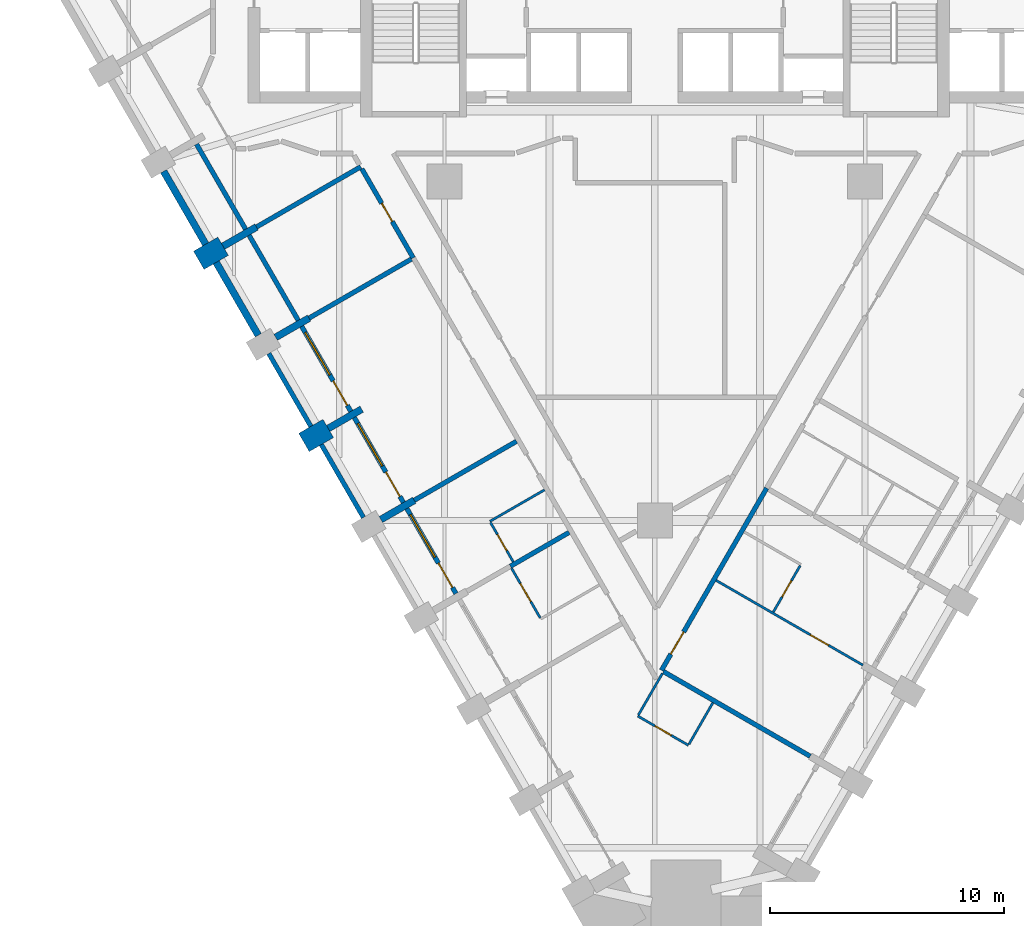
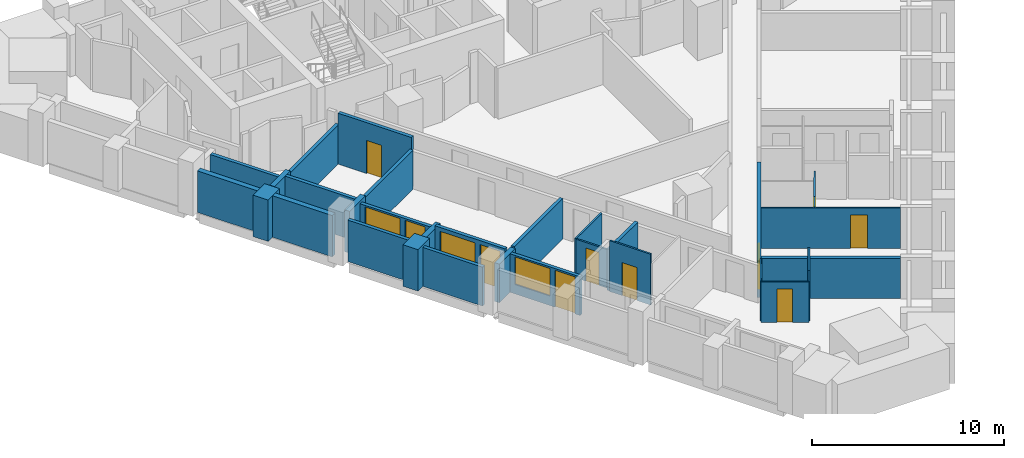
# One storey, part 3 of 10: 30 walls, 10 doors, 3 windows, 13 openings.
"""IFC4 building model written with IfcOpenShell, lengths in metres."""

import ifcopenshell
import ifcopenshell.guid

model = None  # the IFC model being written
_history = None  # IfcOwnerHistory: only IFC2X3 demands one
_inside = {}  # id of a spatial element -> (the spatial element, [elements in it])
_under = {}  # id of a project, library or spatial element -> (it, [spatial elements below it])
_declared = {}  # id of a project -> (the project, [libraries it declares])
_typed = {}  # id of a type object -> (the type object, [elements of that type])
_made_of = {}  # id of a material, layer set ... -> (it, [elements and type objects made of it])


def new_model(schema):
    """Start an empty IFC model of exactly this schema.

    Asked for "IFC4X3", IfcOpenShell would pick the latest addendum, in which some entities
    have other attributes; the version numbers below select the first issue.
    IFC2X3 requires an IfcOwnerHistory on every rooted entity: one is made here for all.
    """
    global model, _history
    if schema == "IFC4X3":
        model = ifcopenshell.file(schema_version=(4, 3, 0, 0))
    else:
        model = ifcopenshell.file(schema=schema)
    _inside.clear()
    _under.clear()
    _declared.clear()
    _typed.clear()
    _made_of.clear()
    _history = None
    if model.schema == "IFC2X3":
        org = make("IfcOrganization", Name="unknown")
        user = make(
            "IfcPersonAndOrganization",
            ThePerson=make("IfcPerson", FamilyName="unknown"),
            TheOrganization=org,
        )
        app = make(
            "IfcApplication",
            ApplicationDeveloper=org,
            Version="unknown",
            ApplicationFullName="unknown",
            ApplicationIdentifier="unknown",
        )
        _history = make(
            "IfcOwnerHistory",
            OwningUser=user,
            OwningApplication=app,
            ChangeAction="ADDED",
            CreationDate=0,
        )
    return model


def make(cls, **values):
    """One entity of the class cls with the attributes given. An attribute that is None is left unset."""
    return model.create_entity(
        cls, **{name: value for name, value in values.items() if value is not None}
    )


def rooted(cls, **values):
    """An entity with a GlobalId (a new one), such as an element, a storey or a relation."""
    return make(cls, GlobalId=ifcopenshell.guid.new(), OwnerHistory=_history, **values)


def si_unit(unit_type, name, prefix=None):
    """IfcSIUnit, for example si_unit("LENGTHUNIT", "METRE", prefix="MILLI")."""
    return make("IfcSIUnit", UnitType=unit_type, Prefix=prefix, Name=name)


def assignment(units):
    """IfcUnitAssignment: the units of a project."""
    return None if units is None else make("IfcUnitAssignment", Units=units)


def point(xyz):
    """IfcCartesianPoint."""
    return None if xyz is None else make("IfcCartesianPoint", Coordinates=xyz)


def direction(xyz):
    """IfcDirection."""
    return None if xyz is None else make("IfcDirection", DirectionRatios=xyz)


def frame(location, z_axis=None, x_axis=None):
    """IfcAxis2Placement3D, a coordinate frame: its origin and axes. An axis left out is left unset."""
    return make(
        "IfcAxis2Placement3D",
        Location=point(location),
        Axis=direction(z_axis),
        RefDirection=direction(x_axis),
    )


def frame_2d(location, x_axis=None):
    """IfcAxis2Placement2D, a coordinate frame in the plane: its origin and x axis."""
    return make(
        "IfcAxis2Placement2D", Location=point(location), RefDirection=direction(x_axis)
    )


def origin():
    """The frame at (0, 0, 0) with its axes left unset."""
    return frame((0.0, 0.0, 0.0))


def place(relative_to, where):
    """IfcLocalPlacement: puts the frame where relative to a parent placement (None: the world)."""
    return make(
        "IfcLocalPlacement", PlacementRelTo=relative_to, RelativePlacement=where
    )


def context(
    kind, dimensions, precision=None, world=None, true_north=None, identifier=None
):
    """IfcGeometricRepresentationContext, for example the 3D "Model" context."""
    return make(
        "IfcGeometricRepresentationContext",
        ContextIdentifier=identifier,
        ContextType=kind,
        CoordinateSpaceDimension=dimensions,
        Precision=precision,
        WorldCoordinateSystem=world,
        TrueNorth=true_north,
    )


def subcontext(parent, identifier, kind, view, scale=None):
    """IfcGeometricRepresentationSubContext, for example "Body" below "Model"."""
    return make(
        "IfcGeometricRepresentationSubContext",
        ContextIdentifier=identifier,
        ContextType=kind,
        ParentContext=parent,
        TargetScale=scale,
        TargetView=view,
    )


def project(units=None, contexts=None):
    """IfcProject with its units and contexts."""
    return rooted(
        "IfcProject",
        Name="project",
        RepresentationContexts=contexts,
        UnitsInContext=assignment(units),
    )


def spatial(cls, under=None, at=None, **own):
    """A site, building, storey or space (cls), placed at a placement, below another one or the project."""
    s = rooted(cls, ObjectPlacement=at, **own)
    if under is not None:
        _under.setdefault(under.id(), (under, []))[1].append(s)
    return s


def profile(cls, at=None, kind="AREA", **sizes):
    """A parametric profile (cls). Its sizes go by their IFC names, for example OverallWidth=200.0."""
    return make(cls, ProfileType=kind, Position=at, **sizes)


def rectangle(**sizes):
    """IfcRectangleProfileDef."""
    return profile("IfcRectangleProfileDef", **sizes)


def extrude(swept, where, along, depth):
    """IfcExtrudedAreaSolid: the profile swept, set in the frame where, extruded along a direction by depth."""
    return make(
        "IfcExtrudedAreaSolid",
        SweptArea=swept,
        Position=where,
        ExtrudedDirection=direction(along),
        Depth=depth,
    )


def shape(context_of_items, identifier, shape_type, items):
    """IfcShapeRepresentation: the items that make up one representation, for example the "Body"."""
    return make(
        "IfcShapeRepresentation",
        ContextOfItems=context_of_items,
        RepresentationIdentifier=identifier,
        RepresentationType=shape_type,
        Items=items,
    )


def material(Name=None, Category=None):
    """IfcMaterial."""
    return make("IfcMaterial", Name=Name, Category=Category)


def layer(
    of_material, thickness, ventilated=None, Name=None, Category=None, Priority=None
):
    """IfcMaterialLayer: one layer of a wall or slab, of a material (None: an air gap)."""
    return make(
        "IfcMaterialLayer",
        Material=of_material,
        LayerThickness=thickness,
        IsVentilated=ventilated,
        Name=Name,
        Category=Category,
        Priority=Priority,
    )


def layer_set(layers, Name=None):
    """IfcMaterialLayerSet."""
    return make("IfcMaterialLayerSet", MaterialLayers=layers, LayerSetName=Name)


def made_of(thing, what):
    """Note that an element or type object is made of a material, layer set ...; save() writes the relation."""
    if what is not None:
        _made_of.setdefault(what.id(), (what, []))[1].append(thing)
    return thing


def type_object(cls, material=None, **own):
    """A type object (cls), such as IfcWallType, which elements share."""
    return made_of(rooted(cls, **own), material)


def element(
    cls,
    number,
    at=None,
    inside=None,
    cuts=None,
    type_object=None,
    material=None,
    context=None,
    identifier="Body",
    shape_type=None,
    held_by="IfcProductDefinitionShape",
    body=None,
    shapes=None,
    **own,
):
    """One element of the class cls, such as IfcWall. Its Tag is "e" and its number.

    at: its placement. inside: the storey or other place that contains it. cuts: it is an
    opening in that element (IfcRelVoidsElement). A single representation is given by context,
    identifier, shape_type and body (its items); several are given by shapes. held_by: the class
    of the entity that holds the representations. save() writes the other relations.
    """
    e = rooted(cls, Tag="e%d" % number, ObjectPlacement=at, **own)
    if body is not None:
        shapes = [shape(context, identifier, shape_type, body)]
    if shapes is not None:
        e.Representation = make(held_by, Representations=shapes)
    if inside is not None:
        _inside.setdefault(inside.id(), (inside, []))[1].append(e)
    if cuts is not None:
        rooted(
            "IfcRelVoidsElement", RelatingBuildingElement=cuts, RelatedOpeningElement=e
        )
    if type_object is not None:
        _typed.setdefault(type_object.id(), (type_object, []))[1].append(e)
    return made_of(e, material)


def fill(opening, filler):
    """IfcRelFillsElement: the door or window that sits in an opening."""
    return rooted(
        "IfcRelFillsElement",
        RelatingOpeningElement=opening,
        RelatedBuildingElement=filler,
    )


def aggregate(whole, parts):
    """IfcRelAggregates: a whole, such as a stair, and the parts it consists of."""
    return rooted("IfcRelAggregates", RelatingObject=whole, RelatedObjects=parts)


def save(model, path):
    """Write the relations noted so far, then the file.

    IfcRelAggregates (storeys below a building ...), IfcRelContainedInSpatialStructure (elements
    in a storey), IfcRelDefinesByType, IfcRelAssociatesMaterial and IfcRelDeclares: one each for
    every whole, place, type object, material and project.
    """
    for whole, parts in _under.values():
        aggregate(whole, parts)
    for where, things in _inside.values():
        rooted(
            "IfcRelContainedInSpatialStructure",
            RelatedElements=things,
            RelatingStructure=where,
        )
    for kind, things in _typed.values():
        rooted("IfcRelDefinesByType", RelatedObjects=things, RelatingType=kind)
    for what, things in _made_of.values():
        rooted("IfcRelAssociatesMaterial", RelatedObjects=things, RelatingMaterial=what)
    for by, libraries in _declared.values():
        rooted("IfcRelDeclares", RelatingContext=by, RelatedDefinitions=libraries)
    model.write(path)


model = new_model("IFC4")

# Units and contexts
model_context = context("Model", 3, precision=1e-05, world=origin(), true_north=direction((0.0, 1.0)))
body_context = subcontext(model_context, "Body", "Model", "MODEL_VIEW")
ifc_project = project(units=[si_unit("LENGTHUNIT", "METRE"), si_unit("AREAUNIT", "SQUARE_METRE"), si_unit("VOLUMEUNIT", "CUBIC_METRE"), si_unit("PLANEANGLEUNIT", "RADIAN"), si_unit("MASSUNIT", "GRAM", prefix="KILO")], contexts=[model_context])

# Site, building, storey
site_placement = place(None, origin())
site = spatial("IfcSite", under=ifc_project, at=site_placement, CompositionType="ELEMENT")
building_placement = place(site_placement, origin())
building = spatial("IfcBuilding", under=site, at=building_placement, Name="Calabash Gate Tower", CompositionType="ELEMENT")
storey_placement = place(building_placement, frame((0.0, 0.0, 95.199951171875)))
storey = spatial("IfcBuildingStorey", under=building, at=storey_placement, Name="L20", CompositionType="ELEMENT", Elevation=95.199951171875)

# Walls
ifc_material_1 = material(Name="Terracotta brick masonry, exposed face", Category="masonry")
ifc_layer_1 = layer(ifc_material_1, 1.199951171875)
ifc_layer_set_1 = layer_set([ifc_layer_1], Name="Brick end wall 1200")
wall_type_1 = type_object("IfcWallType", Name="Brick end wall 1200", PredefinedType="SOLIDWALL", material=ifc_layer_set_1)
for number, where, z_axis, x_axis, name in (
    (1, (-19.51025390625, -0.8720703125, 0.0), (0.0, 0.0, 1.0), (0.865955154139, 0.50012165622, 0.0), "Brick pier S05 SW0.3"),
    (2, (-13.97119140625, -8.066162109375, 0.0), (0.0, 0.0, 1.0), (-0.865955154139, -0.50012165622, 0.0), "Brick pier S05 SW0.5"),
):
    element("IfcWall", number, at=place(storey_placement, frame(where, z_axis=z_axis, x_axis=x_axis)), inside=storey, type_object=wall_type_1, Name=name, PredefinedType="SOLIDWALL", context=body_context, shape_type="SweptSolid", body=[
        extrude(rectangle(XDim=1.199951171875, YDim=0.89990234375, at=frame_2d((0.60009765625, 0.0))), origin(), (0.0, 0.0, 1.0), 2.630126953125),
    ])
ifc_material_2 = material(Name="Terracotta brick masonry, exposed face", Category="masonry")
ifc_layer_2 = layer(ifc_material_2, 0.300048828125)
ifc_layer_set_2 = layer_set([ifc_layer_2], Name="Brick infill panel wall 300")
wall_type_2 = type_object("IfcWallType", Name="Brick infill panel wall 300", PredefinedType="SOLIDWALL", material=ifc_layer_set_2)
for number, where, z_axis, x_axis, name in (
    (3, (-21.015625, 2.935302734375, 0.0), (0.0, 0.0, 1.0), (0.499961193289, -0.866047807691, 0.0), "Brick panel S05 SW0.3"),
    (4, (-18.765625, -0.961669921875, 0.0), (0.0, 0.0, 1.0), (0.499961193289, -0.866047807691, 0.0), "Brick panel S05 SW0.4"),
):
    element("IfcWall", number, at=place(storey_placement, frame(where, z_axis=z_axis, x_axis=x_axis)), inside=storey, type_object=wall_type_2, Name=name, PredefinedType="SOLIDWALL", context=body_context, shape_type="SweptSolid", body=[
        extrude(rectangle(XDim=3.599853515625, YDim=0.300048828125, at=frame_2d((1.7998046875, 0.0))), origin(), (0.0, 0.0, 1.0), 2.630126953125),
    ])
ifc_material_3 = material(Name="Terracotta brick masonry, exposed face", Category="masonry")
ifc_layer_3 = layer(ifc_material_3, 0.300048828125)
ifc_layer_set_3 = layer_set([ifc_layer_3], Name="Brick loggia cheek wall 300")
wall_type_3 = type_object("IfcWallType", Name="Brick loggia cheek wall 300", PredefinedType="SOLIDWALL", material=ifc_layer_set_3)
wall_1_placement = place(storey_placement, frame((-17.042236328125, 0.552978515625, 0.0), z_axis=(0.0, 0.0, 1.0), x_axis=(-0.866040211805, -0.499974350878, 0.0)))
element("IfcWall", 5, at=wall_1_placement, inside=storey, type_object=wall_type_3, Name="Loggia cheek S05 SW0.3", PredefinedType="SOLIDWALL", context=body_context, shape_type="SweptSolid", body=[
    extrude(rectangle(XDim=1.64990234375, YDim=0.300048828125, at=frame_2d((0.824951171875, 0.0))), origin(), (0.0, 0.0, 1.0), 2.650146484375),
])
wall_2_placement = place(storey_placement, frame((-16.22119140625, -4.169189453125, 0.0), z_axis=(0.0, 0.0, 1.0), x_axis=(0.865976140824, 0.500085316245, 0.0)))
element("IfcWall", 6, at=wall_2_placement, inside=storey, type_object=wall_type_3, Name="Loggia cheek S05 SW0.4", PredefinedType="SOLIDWALL", context=body_context, shape_type="SweptSolid", body=[
    extrude(rectangle(XDim=1.650146484375, YDim=0.300048828125, at=frame_2d((0.8251953125, 0.0))), origin(), (0.0, 0.0, 1.0), 2.650146484375),
])
wall_3_placement = place(storey_placement, frame((-13.97119140625, -8.066162109375, 0.0), z_axis=(0.0, 0.0, 1.0), x_axis=(0.866040211805, 0.499974350878, 0.0)))
element("IfcWall", 7, at=wall_3_placement, inside=storey, type_object=wall_type_3, Name="Loggia cheek S05 SW0.5", PredefinedType="SOLIDWALL", context=body_context, shape_type="SweptSolid", body=[
    extrude(rectangle(XDim=1.64990234375, YDim=0.300048828125, at=frame_2d((0.824951171875, 0.0))), origin(), (0.0, 0.0, 1.0), 2.4736328125),
])
wall_4_placement = place(storey_placement, frame((-11.72119140625, -11.96337890625, 0.0), z_axis=(0.0, 0.0, 1.0), x_axis=(0.866040211805, 0.499974350878, 0.0)))
element("IfcWall", 8, at=wall_4_placement, inside=storey, type_object=wall_type_3, Name="Loggia cheek S05 SW0.6", PredefinedType="SOLIDWALL", context=body_context, shape_type="SweptSolid", body=[
    extrude(rectangle(XDim=1.64990234375, YDim=0.300048828125, at=frame_2d((0.824951171875, 0.0))), origin(), (0.0, 0.0, 1.0), 2.4501953125),
])
ifc_material_4 = material(Name="Gypsum board on steel studs, mineral wool", Category="steel")
ifc_layer_4 = layer(ifc_material_4, 0.10009765625)
ifc_layer_set_4 = layer_set([ifc_layer_4], Name="Partition 100 gypsum board")
wall_type_4 = type_object("IfcWallType", Name="Partition 100 gypsum board", PredefinedType="PARTITIONING", material=ifc_layer_set_4)
wall_5_placement = place(storey_placement, frame((1.46044921875, -21.576416015625, 0.0), z_axis=(0.0, 0.0, 1.0), x_axis=(0.499354689006, 0.866397653833, 0.0)))
element("IfcWall", 9, at=wall_5_placement, inside=storey, type_object=wall_type_4, Name="Partition", PredefinedType="PARTITIONING", context=body_context, shape_type="SweptSolid", body=[
    extrude(rectangle(XDim=2.050048828125, YDim=0.10009765625, at=frame_2d((1.02490234375, 0.0))), origin(), (0.0, 0.0, 1.0), 3.22998046875),
])

# Wall, opening, door
wall_6_placement = place(storey_placement, frame((-0.7294921875, -20.369873046875, 0.0), z_axis=(0.0, 0.0, 1.0), x_axis=(0.866022959057, -0.500004234368, 0.0)))
wall_6 = element("IfcWall", 10, at=wall_6_placement, inside=storey, type_object=wall_type_4, Name="Partition", PredefinedType="PARTITIONING", context=body_context, shape_type="SweptSolid", body=[
    extrude(rectangle(XDim=2.5, YDim=0.10009765625, at=frame_2d((1.25, 0.0))), origin(), (0.0, 0.0, 1.0), 2.552001953125),
])
opening_1_placement = place(wall_6_placement, frame((0.85009765625, 0.0, 0.0)))
opening_1 = element("IfcOpeningElement", 11, at=opening_1_placement, cuts=wall_6, Name="Opening 19-21-015", PredefinedType="OPENING", context=body_context, shape_type="SweptSolid", body=[
    extrude(rectangle(XDim=0.800048828125, YDim=2.10009765625, at=frame_2d((0.39990234375, 1.050048828125))), frame((0.0, 0.06005859375, 0.0), z_axis=(0.0, -1.0, 0.0), x_axis=(1.0, 0.0, 0.0)), (0.0, 0.0, 1.0), 0.1201171875),
])
ifc_material_5 = material(Name="Painted timber door", Category="wood")
door_type_1 = type_object("IfcDoorType", Name="GD5 En-suite door 800x2100", OperationType="NOTDEFINED", PredefinedType="DOOR", material=ifc_material_5)
door_1_placement = place(opening_1_placement, origin())
door_1 = element("IfcDoor", 12, at=door_1_placement, inside=storey, type_object=door_type_1, Name="En-suite door", OperationType="SINGLE_SWING_LEFT", OverallHeight=2.10009765625, OverallWidth=0.800048828125, PredefinedType="DOOR", context=body_context, shape_type="SweptSolid", body=[
    extrude(rectangle(XDim=0.800048828125, YDim=2.10009765625, at=frame_2d((0.39990234375, 1.050048828125))), frame((0.0, 0.02490234375, 0.0), z_axis=(0.0, -1.0, 0.0), x_axis=(1.0, 0.0, 0.0)), (0.0, 0.0, 1.0), 0.050048828125),
])
fill(opening_1, door_1)

# Wall
wall_7_placement = place(storey_placement, frame((-0.70458984375, -20.326416015625, 0.0), z_axis=(0.0, 0.0, 1.0), x_axis=(0.500698204548, 0.865621919756, 0.0)))
element("IfcWall", 13, at=wall_7_placement, inside=storey, type_object=wall_type_4, Name="Partition", PredefinedType="PARTITIONING", context=body_context, shape_type="SweptSolid", body=[
    extrude(rectangle(XDim=2.0498046875, YDim=0.10009765625, at=frame_2d((1.02490234375, 0.0))), origin(), (0.0, 0.0, 1.0), 2.552001953125),
])

# Wall, opening, door
wall_8_placement = place(storey_placement, frame((5.069580078125, -15.9208984375, 0.0), z_axis=(0.0, 0.0, 1.0), x_axis=(0.500697021662, 0.865622603967, 0.0)))
wall_8 = element("IfcWall", 14, at=wall_8_placement, inside=storey, type_object=wall_type_4, Name="Partition", PredefinedType="PARTITIONING", context=body_context, shape_type="SweptSolid", body=[
    extrude(rectangle(XDim=2.298095703125, YDim=0.10009765625, at=frame_2d((1.14892578125, 0.0))), origin(), (0.0, 0.0, 1.0), 3.22998046875),
])
opening_2_placement = place(wall_8_placement, frame((0.748046875, 0.0, 0.0)))
opening_2 = element("IfcOpeningElement", 15, at=opening_2_placement, cuts=wall_8, Name="Opening 19-21-009", PredefinedType="OPENING", context=body_context, shape_type="SweptSolid", body=[
    extrude(rectangle(XDim=0.800048828125, YDim=2.10009765625, at=frame_2d((0.39990234375, 1.050048828125))), frame((0.0, 0.06005859375, 0.0), z_axis=(0.0, -1.0, 0.0), x_axis=(1.0, 0.0, 0.0)), (0.0, 0.0, 1.0), 0.1201171875),
])
door_2_placement = place(opening_2_placement, origin())
door_2 = element("IfcDoor", 16, at=door_2_placement, inside=storey, type_object=door_type_1, Name="En-suite door", OperationType="SINGLE_SWING_RIGHT", OverallHeight=2.10009765625, OverallWidth=0.800048828125, PredefinedType="DOOR", context=body_context, shape_type="SweptSolid", body=[
    extrude(rectangle(XDim=0.800048828125, YDim=2.10009765625, at=frame_2d((0.39990234375, 1.050048828125))), frame((0.0, 0.02490234375, 0.0), z_axis=(0.0, -1.0, 0.0), x_axis=(1.0, 0.0, 0.0)), (0.0, 0.0, 1.0), 0.050048828125),
])
fill(opening_2, door_2)

wall_9_placement = place(storey_placement, frame((2.621337890625, -14.565185546875, 0.0), z_axis=(0.0, 0.0, 1.0), x_axis=(0.866035857012, -0.499981894041, 0.0)))
wall_9 = element("IfcWall", 17, at=wall_9_placement, inside=storey, type_object=wall_type_4, Name="Partition", PredefinedType="PARTITIONING", context=body_context, shape_type="SweptSolid", body=[
    extrude(rectangle(XDim=7.249755859375, YDim=0.10009765625, at=frame_2d((3.625, 0.0))), origin(), (0.0, 0.0, 1.0), 2.552001953125),
])
opening_3_placement = place(wall_9_placement, frame((4.64990234375, 0.0, 0.0)))
opening_3 = element("IfcOpeningElement", 18, at=opening_3_placement, cuts=wall_9, Name="Opening 19-21-008", PredefinedType="OPENING", context=body_context, shape_type="SweptSolid", body=[
    extrude(rectangle(XDim=0.89990234375, YDim=2.10009765625, at=frame_2d((0.449951171875, 1.050048828125))), frame((0.0, 0.06005859375, 0.0), z_axis=(0.0, -1.0, 0.0), x_axis=(1.0, 0.0, 0.0)), (0.0, 0.0, 1.0), 0.1201171875),
])
ifc_material_6 = material(Name="Painted timber door", Category="wood")
door_type_2 = type_object("IfcDoorType", Name="GD7 Suite room door 900x2100", OperationType="NOTDEFINED", PredefinedType="DOOR", material=ifc_material_6)
door_3_placement = place(opening_3_placement, origin())
door_3 = element("IfcDoor", 19, at=door_3_placement, inside=storey, type_object=door_type_2, Name="Suite room door", OperationType="SINGLE_SWING_RIGHT", OverallHeight=2.10009765625, OverallWidth=0.89990234375, PredefinedType="DOOR", context=body_context, shape_type="SweptSolid", body=[
    extrude(rectangle(XDim=0.89990234375, YDim=2.10009765625, at=frame_2d((0.449951171875, 1.050048828125))), frame((0.0, 0.02490234375, 0.0), z_axis=(0.0, -1.0, 0.0), x_axis=(1.0, 0.0, 0.0)), (0.0, 0.0, 1.0), 0.050048828125),
])
fill(opening_3, door_3)

wall_10_placement = place(storey_placement, frame((-6.128662109375, -14.04638671875, 0.0), z_axis=(0.0, 0.0, 1.0), x_axis=(0.499408942836, -0.866366381974, 0.0)))
wall_10 = element("IfcWall", 20, at=wall_10_placement, inside=storey, type_object=wall_type_4, Name="Partition", PredefinedType="PARTITIONING", context=body_context, shape_type="SweptSolid", body=[
    extrude(rectangle(XDim=2.44970703125, YDim=0.10009765625, at=frame_2d((1.224853515625, 0.0))), origin(), (0.0, 0.0, 1.0), 3.22998046875),
])
opening_4_placement = place(wall_10_placement, frame((0.749755859375, 0.0, 0.0)))
opening_4 = element("IfcOpeningElement", 21, at=opening_4_placement, cuts=wall_10, Name="Opening 19-21-006", PredefinedType="OPENING", context=body_context, shape_type="SweptSolid", body=[
    extrude(rectangle(XDim=0.89990234375, YDim=2.10009765625, at=frame_2d((0.449951171875, 1.050048828125))), frame((0.0, 0.06005859375, 0.0), z_axis=(0.0, -1.0, 0.0), x_axis=(1.0, 0.0, 0.0)), (0.0, 0.0, 1.0), 0.1201171875),
])
ifc_material_7 = material(Name="Painted timber door", Category="wood")
door_type_3 = type_object("IfcDoorType", Name="GD6 Accessible en-suite door 900x2100", OperationType="NOTDEFINED", PredefinedType="DOOR", material=ifc_material_7)
door_4_placement = place(opening_4_placement, origin())
door_4 = element("IfcDoor", 22, at=door_4_placement, inside=storey, type_object=door_type_3, Name="Accessible en-suite door", OperationType="SINGLE_SWING_RIGHT", OverallHeight=2.10009765625, OverallWidth=0.89990234375, PredefinedType="DOOR", context=body_context, shape_type="SweptSolid", body=[
    extrude(rectangle(XDim=0.89990234375, YDim=2.10009765625, at=frame_2d((0.449951171875, 1.050048828125))), frame((0.0, 0.02490234375, 0.0), z_axis=(0.0, -1.0, 0.0), x_axis=(1.0, 0.0, 0.0)), (0.0, 0.0, 1.0), 0.050048828125),
])
fill(opening_4, door_4)

wall_11_placement = place(storey_placement, frame((-7.031982421875, -12.085205078125, 0.0), z_axis=(0.0, 0.0, 1.0), x_axis=(0.500098182527, -0.865968710655, 0.0)))
wall_11 = element("IfcWall", 23, at=wall_11_placement, inside=storey, type_object=wall_type_4, Name="Partition", PredefinedType="PARTITIONING", context=body_context, shape_type="SweptSolid", body=[
    extrude(rectangle(XDim=1.94970703125, YDim=0.10009765625, at=frame_2d((0.974853515625, 0.0))), origin(), (0.0, 0.0, 1.0), 2.4501953125),
])
opening_5_placement = place(wall_11_placement, frame((0.60009765625, 0.0, 0.0)))
opening_5 = element("IfcOpeningElement", 24, at=opening_5_placement, cuts=wall_11, Name="Opening 19-21-004", PredefinedType="OPENING", context=body_context, shape_type="SweptSolid", body=[
    extrude(rectangle(XDim=0.800048828125, YDim=2.10009765625, at=frame_2d((0.39990234375, 1.050048828125))), frame((0.0, 0.06005859375, 0.0), z_axis=(0.0, -1.0, 0.0), x_axis=(1.0, 0.0, 0.0)), (0.0, 0.0, 1.0), 0.1201171875),
])
door_5_placement = place(opening_5_placement, origin())
door_5 = element("IfcDoor", 25, at=door_5_placement, inside=storey, type_object=door_type_1, Name="En-suite door", OperationType="SINGLE_SWING_RIGHT", OverallHeight=2.10009765625, OverallWidth=0.800048828125, PredefinedType="DOOR", context=body_context, shape_type="SweptSolid", body=[
    extrude(rectangle(XDim=0.800048828125, YDim=2.10009765625, at=frame_2d((0.39990234375, 1.050048828125))), frame((0.0, 0.02490234375, 0.0), z_axis=(0.0, -1.0, 0.0), x_axis=(1.0, 0.0, 0.0)), (0.0, 0.0, 1.0), 0.050048828125),
])
fill(opening_5, door_5)

# Walls
wall_12_placement = place(storey_placement, frame((-7.056884765625, -12.041748046875, 0.0), z_axis=(0.0, 0.0, 1.0), x_axis=(0.866339109022, 0.499456252518, 0.0)))
element("IfcWall", 26, at=wall_12_placement, inside=storey, type_object=wall_type_4, Name="Partition", PredefinedType="PARTITIONING", context=body_context, shape_type="SweptSolid", body=[
    extrude(rectangle(XDim=2.69970703125, YDim=0.10009765625, at=frame_2d((1.349853515625, 0.0))), origin(), (0.0, 0.0, 1.0), 2.4501953125),
])
ifc_material_8 = material(Name="Gypsum board on steel studs, mineral wool", Category="steel")
ifc_layer_5 = layer(ifc_material_8, 0.199951171875)
ifc_layer_set_5 = layer_set([ifc_layer_5], Name="Partition 200 gypsum board EI 60")
wall_type_5 = type_object("IfcWallType", Name="Partition 200 gypsum board EI 60", PredefinedType="PARTITIONING", material=ifc_layer_set_5)
wall_13_placement = place(storey_placement, frame((0.36962890625, -18.4658203125, 0.0), z_axis=(0.0, 0.0, 1.0), x_axis=(0.866027438349, -0.499996476014, 0.0)))
element("IfcWall", 27, at=wall_13_placement, inside=storey, type_object=wall_type_5, Name="Partition", PredefinedType="PARTITIONING", context=body_context, shape_type="SweptSolid", body=[
    extrude(rectangle(XDim=7.24951171875, YDim=0.199951171875, at=frame_2d((3.624755859375, 0.0))), origin(), (0.0, 0.0, 1.0), 2.552001953125),
])
wall_14_placement = place(storey_placement, frame((-6.17919921875, -13.962158203125, 0.0), z_axis=(0.0, 0.0, 1.0), x_axis=(0.866011727401, 0.500023687443, 0.0)))
element("IfcWall", 28, at=wall_14_placement, inside=storey, type_object=wall_type_5, Name="Partition", PredefinedType="PARTITIONING", context=body_context, shape_type="SweptSolid", body=[
    extrude(rectangle(XDim=2.899658203125, YDim=0.199951171875, at=frame_2d((1.44970703125, 0.0))), origin(), (0.0, 0.0, 1.0), 2.6279296875),
])

# Wall, opening, door
wall_15_placement = place(storey_placement, frame((0.285400390625, -18.414794921875, 0.0), z_axis=(0.0, 0.0, 1.0), x_axis=(0.5000018851, 0.866024315419, 0.0)))
wall_15 = element("IfcWall", 29, at=wall_15_placement, inside=storey, type_object=wall_type_5, Name="Partition", PredefinedType="PARTITIONING", context=body_context, shape_type="SweptSolid", body=[
    extrude(rectangle(XDim=9.0, YDim=0.199951171875, at=frame_2d((4.5, 0.0))), origin(), (0.0, 0.0, 1.0), 2.302490234375),
])
opening_6_placement = place(wall_15_placement, frame((0.800048828125, 0.0, 0.0)))
opening_6 = element("IfcOpeningElement", 30, at=opening_6_placement, cuts=wall_15, Name="Opening 19-21-007", PredefinedType="OPENING", context=body_context, shape_type="SweptSolid", body=[
    extrude(rectangle(XDim=1.10009765625, YDim=2.10009765625, at=frame_2d((0.550048828125, 1.050048828125))), frame((0.0, 0.10986328125, 0.0), z_axis=(0.0, -1.0, 0.0), x_axis=(1.0, 0.0, 0.0)), (0.0, 0.0, 1.0), 0.219970703125),
])
ifc_material_9 = material(Name="Steel fire door set with fire-resisting glazing", Category="steel")
door_type_4 = type_object("IfcDoorType", Name="GD3 Suite entrance door 1100x2100", OperationType="NOTDEFINED", PredefinedType="DOOR", material=ifc_material_9)
door_6_placement = place(opening_6_placement, origin())
door_6 = element("IfcDoor", 31, at=door_6_placement, inside=storey, type_object=door_type_4, Name="Suite entrance door", OperationType="SINGLE_SWING_RIGHT", OverallHeight=2.10009765625, OverallWidth=1.10009765625, PredefinedType="DOOR", context=body_context, shape_type="SweptSolid", body=[
    extrude(rectangle(XDim=1.10009765625, YDim=2.10009765625, at=frame_2d((0.550048828125, 1.050048828125))), frame((0.0, 0.02490234375, 0.0), z_axis=(0.0, -1.0, 0.0), x_axis=(1.0, 0.0, 0.0)), (0.0, 0.0, 1.0), 0.050048828125),
])
fill(opening_6, door_6)

# Walls
wall_16_placement = place(storey_placement, frame((-10.2919921875, -11.138427734375, 0.0), z_axis=(0.0, 0.0, 1.0), x_axis=(0.866188805601, 0.49971687289, 0.0)))
element("IfcWall", 32, at=wall_16_placement, inside=storey, type_object=wall_type_5, Name="Partition", PredefinedType="PARTITIONING", context=body_context, shape_type="SweptSolid", body=[
    extrude(rectangle(XDim=5.0498046875, YDim=0.199951171875, at=frame_2d((2.52490234375, 0.0))), origin(), (0.0, 0.0, 1.0), 2.552001953125),
])
wall_17_placement = place(storey_placement, frame((-14.7919921875, -3.34423828125, 0.0), z_axis=(0.0, 0.0, 1.0), x_axis=(0.866188805601, 0.49971687289, 0.0)))
element("IfcWall", 33, at=wall_17_placement, inside=storey, type_object=wall_type_5, Name="Partition", PredefinedType="PARTITIONING", context=body_context, shape_type="SweptSolid", body=[
    extrude(rectangle(XDim=5.0498046875, YDim=0.199951171875, at=frame_2d((2.52490234375, 0.0))), origin(), (0.0, 0.0, 1.0), 2.4736328125),
])

# Wall, opening, door
wall_18_placement = place(storey_placement, frame((-12.533935546875, 3.040283203125, 0.0), z_axis=(0.0, 0.0, 1.0), x_axis=(0.50001224981, -0.866018331238, 0.0)))
wall_18 = element("IfcWall", 34, at=wall_18_placement, inside=storey, type_object=wall_type_5, Name="Partition", PredefinedType="PARTITIONING", context=body_context, shape_type="SweptSolid", body=[
    extrude(rectangle(XDim=4.39990234375, YDim=0.199951171875, at=frame_2d((2.199951171875, 0.0))), origin(), (0.0, 0.0, 1.0), 3.22998046875),
])
opening_7_placement = place(wall_18_placement, frame((1.699951171875, 0.0, 0.0)))
opening_7 = element("IfcOpeningElement", 35, at=opening_7_placement, cuts=wall_18, Name="Opening 19-21-001", PredefinedType="OPENING", context=body_context, shape_type="SweptSolid", body=[
    extrude(rectangle(XDim=0.89990234375, YDim=2.10009765625, at=frame_2d((0.449951171875, 1.050048828125))), frame((0.0, 0.10986328125, 0.0), z_axis=(0.0, -1.0, 0.0), x_axis=(1.0, 0.0, 0.0)), (0.0, 0.0, 1.0), 0.219970703125),
])
ifc_material_10 = material(Name="Steel fire door set with fire-resisting glazing", Category="steel")
door_type_5 = type_object("IfcDoorType", Name="SD1 Service room door 900x2100", OperationType="NOTDEFINED", PredefinedType="DOOR", material=ifc_material_10)
door_7_placement = place(opening_7_placement, origin())
door_7 = element("IfcDoor", 36, at=door_7_placement, inside=storey, type_object=door_type_5, Name="Service room door", OperationType="SINGLE_SWING_RIGHT", OverallHeight=2.10009765625, OverallWidth=0.89990234375, PredefinedType="DOOR", context=body_context, shape_type="SweptSolid", body=[
    extrude(rectangle(XDim=0.89990234375, YDim=2.10009765625, at=frame_2d((0.449951171875, 1.050048828125))), frame((0.0, 0.02490234375, 0.0), z_axis=(0.0, -1.0, 0.0), x_axis=(1.0, 0.0, 0.0)), (0.0, 0.0, 1.0), 0.050048828125),
])
fill(opening_7, door_7)

# Walls
wall_19_placement = place(storey_placement, frame((-17.04248046875, 0.553466796875, 0.0), z_axis=(0.0, 0.0, 1.0), x_axis=(0.865896561189, 0.500223095549, 0.0)))
element("IfcWall", 37, at=wall_19_placement, inside=storey, type_object=wall_type_5, Name="Partition", PredefinedType="PARTITIONING", context=body_context, shape_type="SweptSolid", body=[
    extrude(rectangle(XDim=5.149658203125, YDim=0.199951171875, at=frame_2d((2.57470703125, 0.0))), origin(), (0.0, 0.0, 1.0), 2.4736328125),
])
ifc_material_11 = material(Name="Terracotta brick masonry, perforated", Category="masonry")
ifc_layer_6 = layer(ifc_material_11, 0.199951171875)
ifc_layer_set_6 = layer_set([ifc_layer_6], Name="Terracotta jaali screen A")
wall_type_6 = type_object("IfcWallType", Name="Terracotta jaali screen A", PredefinedType="SOLIDWALL", material=ifc_layer_set_6)
wall_20_placement = place(storey_placement, frame((-16.515625, -4.85888671875, 0.0), z_axis=(0.0, 0.0, 1.0), x_axis=(0.499961193289, -0.866047807691, 0.0)))
element("IfcWall", 38, at=wall_20_placement, inside=storey, type_object=wall_type_6, Name="SCREEN A S05 SW0.5", PredefinedType="SOLIDWALL", context=body_context, shape_type="SweptSolid", body=[
    extrude(rectangle(XDim=3.599853515625, YDim=0.199951171875, at=frame_2d((1.7998046875, 0.0))), origin(), (0.0, 0.0, 1.0), 2.630126953125),
])
wall_21_placement = place(storey_placement, frame((-14.265625, -8.755859375, 0.0), z_axis=(0.0, 0.0, 1.0), x_axis=(0.499961193289, -0.866047807691, 0.0)))
element("IfcWall", 39, at=wall_21_placement, inside=storey, type_object=wall_type_6, Name="SCREEN A S05 SW0.6", PredefinedType="SOLIDWALL", context=body_context, shape_type="SweptSolid", body=[
    extrude(rectangle(XDim=3.599853515625, YDim=0.199951171875, at=frame_2d((1.7998046875, 0.0))), origin(), (0.0, 0.0, 1.0), 2.4736328125),
])
ifc_material_12 = material(Name="Aluminium framed window wall with insulated spandrel", Category="aluminium")
ifc_layer_7 = layer(ifc_material_12, 0.199951171875)
ifc_layer_set_7 = layer_set([ifc_layer_7], Name="Window wall 200")
wall_type_7 = type_object("IfcWallType", Name="Window wall 200", PredefinedType="ELEMENTEDWALL", material=ifc_layer_set_7)
wall_22_placement = place(storey_placement, frame((-19.60693359375, 4.09521484375, 0.0), z_axis=(0.0, 0.0, 1.0), x_axis=(0.500027713859, -0.866009402589, 0.0)))
element("IfcWall", 40, at=wall_22_placement, inside=storey, type_object=wall_type_7, Name="Window wall S05 SW0.3", PredefinedType="ELEMENTEDWALL", context=body_context, shape_type="SweptSolid", body=[
    extrude(rectangle(XDim=4.199951171875, YDim=0.199951171875, at=frame_2d((2.10009765625, 0.0))), origin(), (0.0, 0.0, 1.0), 2.4501953125),
])
wall_23_placement = place(storey_placement, frame((-17.35693359375, 0.197998046875, 0.0), z_axis=(0.0, 0.0, 1.0), x_axis=(0.500027713859, -0.866009402589, 0.0)))
element("IfcWall", 41, at=wall_23_placement, inside=storey, type_object=wall_type_7, Name="Window wall S05 SW0.4", PredefinedType="ELEMENTEDWALL", context=body_context, shape_type="SweptSolid", body=[
    extrude(rectangle(XDim=4.199951171875, YDim=0.199951171875, at=frame_2d((2.10009765625, 0.0))), origin(), (0.0, 0.0, 1.0), 2.650146484375),
])

# Wall, openings, door, window
wall_24_placement = place(storey_placement, frame((-15.10693359375, -3.698974609375, 0.0), z_axis=(0.0, 0.0, 1.0), x_axis=(0.500002543286, -0.866023935413, 0.0)))
wall_24 = element("IfcWall", 42, at=wall_24_placement, inside=storey, type_object=wall_type_7, Name="Window wall S05 SW0.5", PredefinedType="ELEMENTEDWALL", context=body_context, shape_type="SweptSolid", body=[
    extrude(rectangle(XDim=4.2001953125, YDim=0.199951171875, at=frame_2d((2.10009765625, 0.0))), origin(), (0.0, 0.0, 1.0), 2.4736328125),
])
opening_8_placement = place(wall_24_placement, frame((0.300048828125, 0.0, 0.60009765625)))
opening_8 = element("IfcOpeningElement", 43, at=opening_8_placement, cuts=wall_24, Name="Opening HW1L-1770", PredefinedType="OPENING", context=body_context, shape_type="SweptSolid", body=[
    extrude(rectangle(XDim=2.10009765625, YDim=1.77001953125, at=frame_2d((1.050048828125, 0.885009765625))), frame((0.0, 0.10986328125, 0.0), z_axis=(0.0, -1.0, 0.0), x_axis=(1.0, 0.0, 0.0)), (0.0, 0.0, 1.0), 0.219970703125),
])
opening_9_placement = place(wall_24_placement, frame((2.699951171875, 0.0, 0.0)))
opening_9 = element("IfcOpeningElement", 44, at=opening_9_placement, cuts=wall_24, Name="Opening H5-023", PredefinedType="OPENING", context=body_context, shape_type="SweptSolid", body=[
    extrude(rectangle(XDim=1.199951171875, YDim=2.3701171875, at=frame_2d((0.60009765625, 1.18505859375))), frame((0.0, 0.10986328125, 0.0), z_axis=(0.0, -1.0, 0.0), x_axis=(1.0, 0.0, 0.0)), (0.0, 0.0, 1.0), 0.219970703125),
])
ifc_material_13 = material(Name="Anodised aluminium frame, bronze finish, impact-rated laminated clear glazing", Category="aluminium")
door_type_6 = type_object("IfcDoorType", Name="Loggia door DH1L-2370 1200x2370", OperationType="SLIDING_TO_LEFT", PredefinedType="DOOR", material=ifc_material_13)
door_8_placement = place(opening_9_placement, origin())
door_8 = element("IfcDoor", 45, at=door_8_placement, inside=storey, type_object=door_type_6, Name="Loggia door S05 SW0.5", OperationType="SINGLE_SWING_LEFT", OverallHeight=2.3701171875, OverallWidth=1.199951171875, PredefinedType="DOOR", context=body_context, shape_type="SweptSolid", body=[
    extrude(rectangle(XDim=1.199951171875, YDim=2.3701171875, at=frame_2d((0.60009765625, 1.18505859375))), frame((0.0, 0.02490234375, 0.0), z_axis=(0.0, -1.0, 0.0), x_axis=(1.0, 0.0, 0.0)), (0.0, 0.0, 1.0), 0.050048828125),
])
fill(opening_9, door_8)
ifc_material_14 = material(Name="Anodised aluminium frame, bronze finish, impact-rated laminated clear glazing", Category="aluminium")
window_type_1 = type_object("IfcWindowType", Name="Window HW1L 2100x1770", PartitioningType="DOUBLE_PANEL_VERTICAL", PredefinedType="WINDOW", material=ifc_material_14)
window_1_placement = place(opening_8_placement, origin())
window_1 = element("IfcWindow", 46, at=window_1_placement, inside=storey, type_object=window_type_1, Name="Window HW1 S05 SW0.5", OverallHeight=1.77001953125, OverallWidth=2.10009765625, PartitioningType="SINGLE_PANEL", PredefinedType="WINDOW", context=body_context, shape_type="SweptSolid", body=[
    extrude(rectangle(XDim=2.10009765625, YDim=1.77001953125, at=frame_2d((1.050048828125, 0.885009765625))), frame((0.0, 0.030029296875, 0.0), z_axis=(0.0, -1.0, 0.0), x_axis=(1.0, 0.0, 0.0)), (0.0, 0.0, 1.0), 0.06005859375),
])
fill(opening_8, window_1)

wall_25_placement = place(storey_placement, frame((-12.85693359375, -7.59619140625, 0.0), z_axis=(0.0, 0.0, 1.0), x_axis=(0.500027713859, -0.866009402589, 0.0)))
wall_25 = element("IfcWall", 47, at=wall_25_placement, inside=storey, type_object=wall_type_7, Name="Window wall S05 SW0.6", PredefinedType="ELEMENTEDWALL", context=body_context, shape_type="SweptSolid", body=[
    extrude(rectangle(XDim=4.199951171875, YDim=0.199951171875, at=frame_2d((2.10009765625, 0.0))), origin(), (0.0, 0.0, 1.0), 2.650146484375),
])
opening_10_placement = place(wall_25_placement, frame((0.300048828125, 0.0, 0.60009765625)))
opening_10 = element("IfcOpeningElement", 48, at=opening_10_placement, cuts=wall_25, Name="Opening HW1", PredefinedType="OPENING", context=body_context, shape_type="SweptSolid", body=[
    extrude(rectangle(XDim=2.10009765625, YDim=1.800048828125, at=frame_2d((1.050048828125, 0.89990234375))), frame((0.0, 0.10986328125, 0.0), z_axis=(0.0, -1.0, 0.0), x_axis=(1.0, 0.0, 0.0)), (0.0, 0.0, 1.0), 0.219970703125),
])
opening_11_placement = place(wall_25_placement, frame((2.699951171875, 0.0, 0.0)))
opening_11 = element("IfcOpeningElement", 49, at=opening_11_placement, cuts=wall_25, Name="Opening H5-024", PredefinedType="OPENING", context=body_context, shape_type="SweptSolid", body=[
    extrude(rectangle(XDim=1.199951171875, YDim=2.39990234375, at=frame_2d((0.60009765625, 1.199951171875))), frame((0.0, 0.10986328125, 0.0), z_axis=(0.0, -1.0, 0.0), x_axis=(1.0, 0.0, 0.0)), (0.0, 0.0, 1.0), 0.219970703125),
])
ifc_material_15 = material(Name="Anodised aluminium frame, bronze finish, impact-rated laminated clear glazing", Category="aluminium")
door_type_7 = type_object("IfcDoorType", Name="Loggia door DH1 1200x2400", OperationType="SLIDING_TO_LEFT", PredefinedType="DOOR", material=ifc_material_15)
door_9_placement = place(opening_11_placement, origin())
door_9 = element("IfcDoor", 50, at=door_9_placement, inside=storey, type_object=door_type_7, Name="Loggia door S05 SW0.6", OperationType="SINGLE_SWING_LEFT", OverallHeight=2.39990234375, OverallWidth=1.199951171875, PredefinedType="DOOR", context=body_context, shape_type="SweptSolid", body=[
    extrude(rectangle(XDim=1.199951171875, YDim=2.39990234375, at=frame_2d((0.60009765625, 1.199951171875))), frame((0.0, 0.02490234375, 0.0), z_axis=(0.0, -1.0, 0.0), x_axis=(1.0, 0.0, 0.0)), (0.0, 0.0, 1.0), 0.050048828125),
])
fill(opening_11, door_9)
ifc_material_16 = material(Name="Anodised aluminium frame, bronze finish, impact-rated laminated clear glazing", Category="aluminium")
window_type_2 = type_object("IfcWindowType", Name="Window HW1 2100x1800", PartitioningType="DOUBLE_PANEL_VERTICAL", PredefinedType="WINDOW", material=ifc_material_16)
window_2_placement = place(opening_10_placement, origin())
window_2 = element("IfcWindow", 51, at=window_2_placement, inside=storey, type_object=window_type_2, Name="Window HW1 S05 SW0.6", OverallHeight=1.800048828125, OverallWidth=2.10009765625, PartitioningType="SINGLE_PANEL", PredefinedType="WINDOW", context=body_context, shape_type="SweptSolid", body=[
    extrude(rectangle(XDim=2.10009765625, YDim=1.800048828125, at=frame_2d((1.050048828125, 0.89990234375))), frame((0.0, 0.030029296875, 0.0), z_axis=(0.0, -1.0, 0.0), x_axis=(1.0, 0.0, 0.0)), (0.0, 0.0, 1.0), 0.06005859375),
])
fill(opening_10, window_2)

wall_26_placement = place(storey_placement, frame((-10.60693359375, -11.4931640625, 0.0), z_axis=(0.0, 0.0, 1.0), x_axis=(0.500002543286, -0.866023935413, 0.0)))
wall_26 = element("IfcWall", 52, at=wall_26_placement, inside=storey, type_object=wall_type_7, Name="Window wall S05 SW0.7", PredefinedType="ELEMENTEDWALL", context=body_context, shape_type="SweptSolid", body=[
    extrude(rectangle(XDim=4.2001953125, YDim=0.199951171875, at=frame_2d((2.10009765625, 0.0))), origin(), (0.0, 0.0, 1.0), 2.4501953125),
])
opening_12_placement = place(wall_26_placement, frame((0.300048828125, 0.0, 0.60009765625)))
opening_12 = element("IfcOpeningElement", 53, at=opening_12_placement, cuts=wall_26, Name="Opening HW1L-1750", PredefinedType="OPENING", context=body_context, shape_type="SweptSolid", body=[
    extrude(rectangle(XDim=2.10009765625, YDim=1.75, at=frame_2d((1.050048828125, 0.875))), frame((0.0, 0.10986328125, 0.0), z_axis=(0.0, -1.0, 0.0), x_axis=(1.0, 0.0, 0.0)), (0.0, 0.0, 1.0), 0.219970703125),
])
opening_13_placement = place(wall_26_placement, frame((2.699951171875, 0.0, 0.0)))
opening_13 = element("IfcOpeningElement", 54, at=opening_13_placement, cuts=wall_26, Name="Opening H5-025", PredefinedType="OPENING", context=body_context, shape_type="SweptSolid", body=[
    extrude(rectangle(XDim=1.199951171875, YDim=2.35009765625, at=frame_2d((0.60009765625, 1.175048828125))), frame((0.0, 0.10986328125, 0.0), z_axis=(0.0, -1.0, 0.0), x_axis=(1.0, 0.0, 0.0)), (0.0, 0.0, 1.0), 0.219970703125),
])
ifc_material_17 = material(Name="Anodised aluminium frame, bronze finish, impact-rated laminated clear glazing", Category="aluminium")
door_type_8 = type_object("IfcDoorType", Name="Loggia door DH1L-2350 1200x2350", OperationType="SLIDING_TO_LEFT", PredefinedType="DOOR", material=ifc_material_17)
door_10_placement = place(opening_13_placement, origin())
door_10 = element("IfcDoor", 55, at=door_10_placement, inside=storey, type_object=door_type_8, Name="Loggia door S05 SW0.7", OperationType="SINGLE_SWING_LEFT", OverallHeight=2.35009765625, OverallWidth=1.199951171875, PredefinedType="DOOR", context=body_context, shape_type="SweptSolid", body=[
    extrude(rectangle(XDim=1.199951171875, YDim=2.35009765625, at=frame_2d((0.60009765625, 1.175048828125))), frame((0.0, 0.02490234375, 0.0), z_axis=(0.0, -1.0, 0.0), x_axis=(1.0, 0.0, 0.0)), (0.0, 0.0, 1.0), 0.050048828125),
])
fill(opening_13, door_10)
ifc_material_18 = material(Name="Anodised aluminium frame, bronze finish, impact-rated laminated clear glazing", Category="aluminium")
window_type_3 = type_object("IfcWindowType", Name="Window HW1L 2100x1750", PartitioningType="DOUBLE_PANEL_VERTICAL", PredefinedType="WINDOW", material=ifc_material_18)
window_3_placement = place(opening_12_placement, origin())
window_3 = element("IfcWindow", 56, at=window_3_placement, inside=storey, type_object=window_type_3, Name="Window HW1 S05 SW0.7", OverallHeight=1.75, OverallWidth=2.10009765625, PartitioningType="SINGLE_PANEL", PredefinedType="WINDOW", context=body_context, shape_type="SweptSolid", body=[
    extrude(rectangle(XDim=2.10009765625, YDim=1.75, at=frame_2d((1.050048828125, 0.875))), frame((0.0, 0.030029296875, 0.0), z_axis=(0.0, -1.0, 0.0), x_axis=(1.0, 0.0, 0.0)), (0.0, 0.0, 1.0), 0.06005859375),
])
fill(opening_12, window_3)

save(model, "model.ifc")
